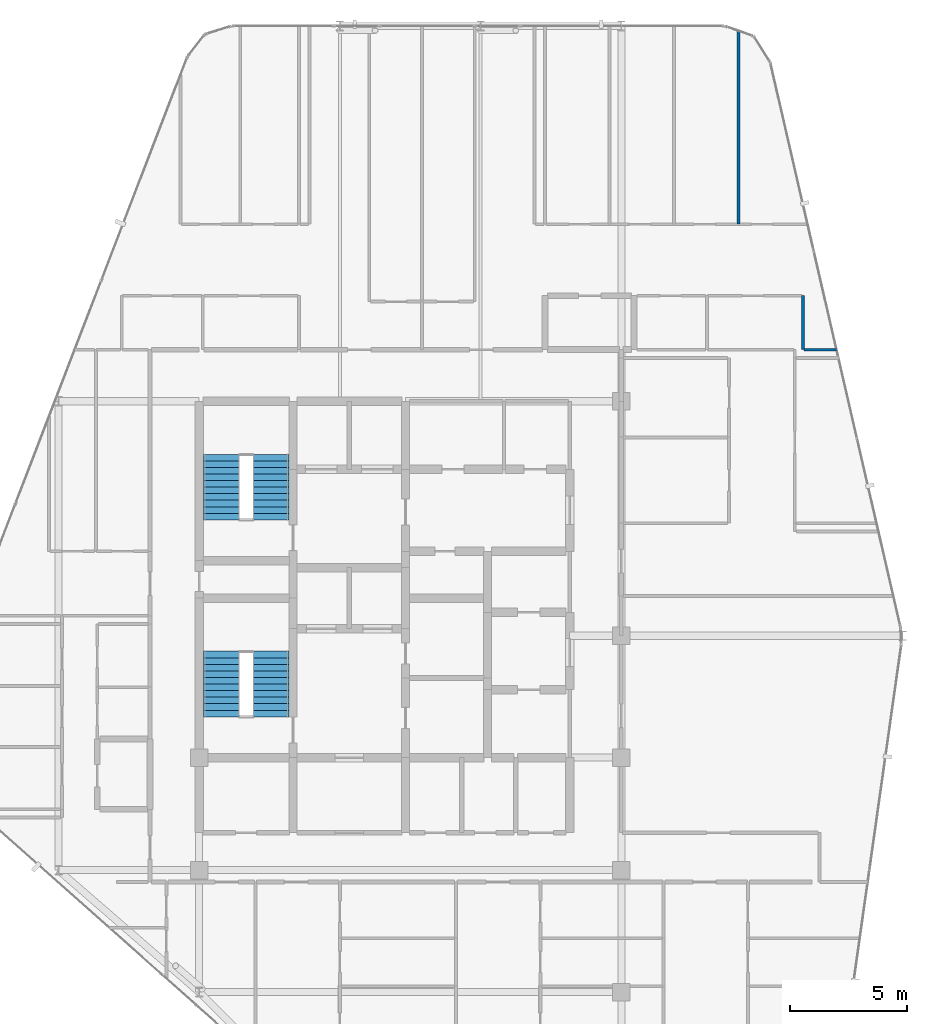
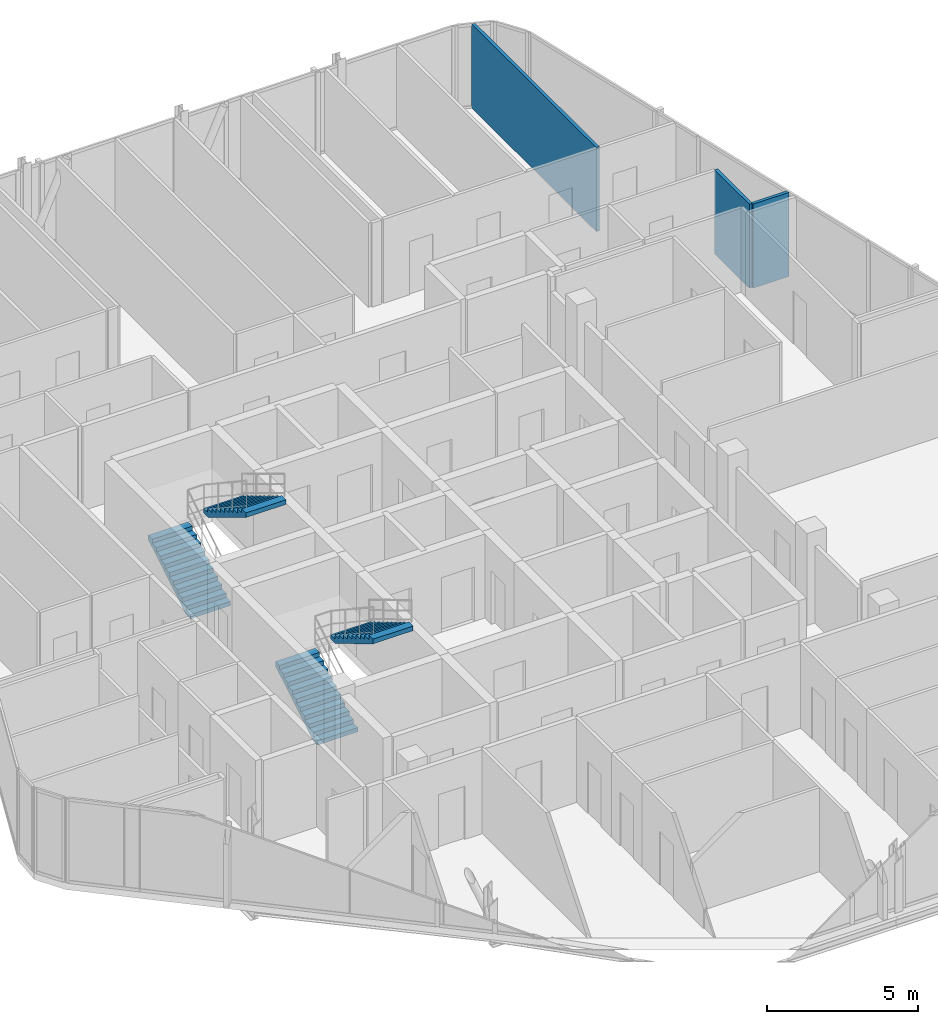
# One storey, part 27 of 28: 4 stair flights, 3 walls, 2 elements without a shape of their own.
"""IFC4 building model written with IfcOpenShell, lengths in metres."""

import ifcopenshell
import ifcopenshell.guid

model = None  # the IFC model being written
_history = None  # IfcOwnerHistory: only IFC2X3 demands one
_inside = {}  # id of a spatial element -> (the spatial element, [elements in it])
_under = {}  # id of a project, library or spatial element -> (it, [spatial elements below it])
_declared = {}  # id of a project -> (the project, [libraries it declares])
_typed = {}  # id of a type object -> (the type object, [elements of that type])
_made_of = {}  # id of a material, layer set ... -> (it, [elements and type objects made of it])


def new_model(schema):
    """Start an empty IFC model of exactly this schema.

    Asked for "IFC4X3", IfcOpenShell would pick the latest addendum, in which some entities
    have other attributes; the version numbers below select the first issue.
    IFC2X3 requires an IfcOwnerHistory on every rooted entity: one is made here for all.
    """
    global model, _history
    if schema == "IFC4X3":
        model = ifcopenshell.file(schema_version=(4, 3, 0, 0))
    else:
        model = ifcopenshell.file(schema=schema)
    _inside.clear()
    _under.clear()
    _declared.clear()
    _typed.clear()
    _made_of.clear()
    _history = None
    if model.schema == "IFC2X3":
        org = make("IfcOrganization", Name="unknown")
        user = make(
            "IfcPersonAndOrganization",
            ThePerson=make("IfcPerson", FamilyName="unknown"),
            TheOrganization=org,
        )
        app = make(
            "IfcApplication",
            ApplicationDeveloper=org,
            Version="unknown",
            ApplicationFullName="unknown",
            ApplicationIdentifier="unknown",
        )
        _history = make(
            "IfcOwnerHistory",
            OwningUser=user,
            OwningApplication=app,
            ChangeAction="ADDED",
            CreationDate=0,
        )
    return model


def make(cls, **values):
    """One entity of the class cls with the attributes given. An attribute that is None is left unset."""
    return model.create_entity(
        cls, **{name: value for name, value in values.items() if value is not None}
    )


def rooted(cls, **values):
    """An entity with a GlobalId (a new one), such as an element, a storey or a relation."""
    return make(cls, GlobalId=ifcopenshell.guid.new(), OwnerHistory=_history, **values)


def si_unit(unit_type, name, prefix=None):
    """IfcSIUnit, for example si_unit("LENGTHUNIT", "METRE", prefix="MILLI")."""
    return make("IfcSIUnit", UnitType=unit_type, Prefix=prefix, Name=name)


def assignment(units):
    """IfcUnitAssignment: the units of a project."""
    return None if units is None else make("IfcUnitAssignment", Units=units)


def point(xyz):
    """IfcCartesianPoint."""
    return None if xyz is None else make("IfcCartesianPoint", Coordinates=xyz)


def direction(xyz):
    """IfcDirection."""
    return None if xyz is None else make("IfcDirection", DirectionRatios=xyz)


def frame(location, z_axis=None, x_axis=None):
    """IfcAxis2Placement3D, a coordinate frame: its origin and axes. An axis left out is left unset."""
    return make(
        "IfcAxis2Placement3D",
        Location=point(location),
        Axis=direction(z_axis),
        RefDirection=direction(x_axis),
    )


def frame_2d(location, x_axis=None):
    """IfcAxis2Placement2D, a coordinate frame in the plane: its origin and x axis."""
    return make(
        "IfcAxis2Placement2D", Location=point(location), RefDirection=direction(x_axis)
    )


def origin():
    """The frame at (0, 0, 0) with its axes left unset."""
    return frame((0.0, 0.0, 0.0))


def place(relative_to, where):
    """IfcLocalPlacement: puts the frame where relative to a parent placement (None: the world)."""
    return make(
        "IfcLocalPlacement", PlacementRelTo=relative_to, RelativePlacement=where
    )


def context(
    kind, dimensions, precision=None, world=None, true_north=None, identifier=None
):
    """IfcGeometricRepresentationContext, for example the 3D "Model" context."""
    return make(
        "IfcGeometricRepresentationContext",
        ContextIdentifier=identifier,
        ContextType=kind,
        CoordinateSpaceDimension=dimensions,
        Precision=precision,
        WorldCoordinateSystem=world,
        TrueNorth=true_north,
    )


def subcontext(parent, identifier, kind, view, scale=None):
    """IfcGeometricRepresentationSubContext, for example "Body" below "Model"."""
    return make(
        "IfcGeometricRepresentationSubContext",
        ContextIdentifier=identifier,
        ContextType=kind,
        ParentContext=parent,
        TargetScale=scale,
        TargetView=view,
    )


def project(units=None, contexts=None):
    """IfcProject with its units and contexts."""
    return rooted(
        "IfcProject",
        Name="project",
        RepresentationContexts=contexts,
        UnitsInContext=assignment(units),
    )


def spatial(cls, under=None, at=None, **own):
    """A site, building, storey or space (cls), placed at a placement, below another one or the project."""
    s = rooted(cls, ObjectPlacement=at, **own)
    if under is not None:
        _under.setdefault(under.id(), (under, []))[1].append(s)
    return s


def polyline(points):
    """IfcPolyline through the points."""
    return make("IfcPolyline", Points=[point(p) for p in points])


def profile(cls, at=None, kind="AREA", **sizes):
    """A parametric profile (cls). Its sizes go by their IFC names, for example OverallWidth=200.0."""
    return make(cls, ProfileType=kind, Position=at, **sizes)


def rectangle(**sizes):
    """IfcRectangleProfileDef."""
    return profile("IfcRectangleProfileDef", **sizes)


def outline(outer, holes=None, kind="AREA"):
    """IfcArbitraryClosedProfileDef: a profile drawn as a closed curve; with holes, ...WithVoids."""
    if holes is None:
        return make("IfcArbitraryClosedProfileDef", ProfileType=kind, OuterCurve=outer)
    return make(
        "IfcArbitraryProfileDefWithVoids",
        ProfileType=kind,
        OuterCurve=outer,
        InnerCurves=holes,
    )


def extrude(swept, where, along, depth):
    """IfcExtrudedAreaSolid: the profile swept, set in the frame where, extruded along a direction by depth."""
    return make(
        "IfcExtrudedAreaSolid",
        SweptArea=swept,
        Position=where,
        ExtrudedDirection=direction(along),
        Depth=depth,
    )


def shape(context_of_items, identifier, shape_type, items):
    """IfcShapeRepresentation: the items that make up one representation, for example the "Body"."""
    return make(
        "IfcShapeRepresentation",
        ContextOfItems=context_of_items,
        RepresentationIdentifier=identifier,
        RepresentationType=shape_type,
        Items=items,
    )


def material(Name=None, Category=None):
    """IfcMaterial."""
    return make("IfcMaterial", Name=Name, Category=Category)


def layer(
    of_material, thickness, ventilated=None, Name=None, Category=None, Priority=None
):
    """IfcMaterialLayer: one layer of a wall or slab, of a material (None: an air gap)."""
    return make(
        "IfcMaterialLayer",
        Material=of_material,
        LayerThickness=thickness,
        IsVentilated=ventilated,
        Name=Name,
        Category=Category,
        Priority=Priority,
    )


def layer_set(layers, Name=None):
    """IfcMaterialLayerSet."""
    return make("IfcMaterialLayerSet", MaterialLayers=layers, LayerSetName=Name)


def made_of(thing, what):
    """Note that an element or type object is made of a material, layer set ...; save() writes the relation."""
    if what is not None:
        _made_of.setdefault(what.id(), (what, []))[1].append(thing)
    return thing


def type_object(cls, material=None, **own):
    """A type object (cls), such as IfcWallType, which elements share."""
    return made_of(rooted(cls, **own), material)


def element(
    cls,
    number,
    at=None,
    inside=None,
    cuts=None,
    type_object=None,
    material=None,
    context=None,
    identifier="Body",
    shape_type=None,
    held_by="IfcProductDefinitionShape",
    body=None,
    shapes=None,
    **own,
):
    """One element of the class cls, such as IfcWall. Its Tag is "e" and its number.

    at: its placement. inside: the storey or other place that contains it. cuts: it is an
    opening in that element (IfcRelVoidsElement). A single representation is given by context,
    identifier, shape_type and body (its items); several are given by shapes. held_by: the class
    of the entity that holds the representations. save() writes the other relations.
    """
    e = rooted(cls, Tag="e%d" % number, ObjectPlacement=at, **own)
    if body is not None:
        shapes = [shape(context, identifier, shape_type, body)]
    if shapes is not None:
        e.Representation = make(held_by, Representations=shapes)
    if inside is not None:
        _inside.setdefault(inside.id(), (inside, []))[1].append(e)
    if cuts is not None:
        rooted(
            "IfcRelVoidsElement", RelatingBuildingElement=cuts, RelatedOpeningElement=e
        )
    if type_object is not None:
        _typed.setdefault(type_object.id(), (type_object, []))[1].append(e)
    return made_of(e, material)


def aggregate(whole, parts):
    """IfcRelAggregates: a whole, such as a stair, and the parts it consists of."""
    return rooted("IfcRelAggregates", RelatingObject=whole, RelatedObjects=parts)


def save(model, path):
    """Write the relations noted so far, then the file.

    IfcRelAggregates (storeys below a building ...), IfcRelContainedInSpatialStructure (elements
    in a storey), IfcRelDefinesByType, IfcRelAssociatesMaterial and IfcRelDeclares: one each for
    every whole, place, type object, material and project.
    """
    for whole, parts in _under.values():
        aggregate(whole, parts)
    for where, things in _inside.values():
        rooted(
            "IfcRelContainedInSpatialStructure",
            RelatedElements=things,
            RelatingStructure=where,
        )
    for kind, things in _typed.values():
        rooted("IfcRelDefinesByType", RelatedObjects=things, RelatingType=kind)
    for what, things in _made_of.values():
        rooted("IfcRelAssociatesMaterial", RelatedObjects=things, RelatingMaterial=what)
    for by, libraries in _declared.values():
        rooted("IfcRelDeclares", RelatingContext=by, RelatedDefinitions=libraries)
    model.write(path)


model = new_model("IFC4")

# Units and contexts
model_context = context("Model", 3, precision=1e-05, world=origin(), true_north=direction((0.0, 1.0)))
body_context = subcontext(model_context, "Body", "Model", "MODEL_VIEW")
ifc_project = project(units=[si_unit("LENGTHUNIT", "METRE"), si_unit("AREAUNIT", "SQUARE_METRE"), si_unit("VOLUMEUNIT", "CUBIC_METRE"), si_unit("PLANEANGLEUNIT", "RADIAN"), si_unit("MASSUNIT", "GRAM", prefix="KILO")], contexts=[model_context])

# Site, building, storey
site_placement = place(None, origin())
site = spatial("IfcSite", under=ifc_project, at=site_placement, CompositionType="ELEMENT")
building_placement = place(site_placement, origin())
building = spatial("IfcBuilding", under=site, at=building_placement, Name="Keshet Zoharim Tower", CompositionType="ELEMENT")
storey_placement = place(building_placement, frame((0.0, 0.0, 251.0)))
storey = spatial("IfcBuildingStorey", under=building, at=storey_placement, Name="L62", CompositionType="ELEMENT", Elevation=251.0)

# Walls
ifc_material_1 = material(Name="Gypsum Plasterboard", Category="gypsum")
ifc_layer = layer(ifc_material_1, 0.1201171875)
ifc_layer_set = layer_set([ifc_layer], Name="Gypsum Plasterboard")
wall_type = type_object("IfcWallType", Name="WL-PART-120", PredefinedType="PARTITIONING", material=ifc_layer_set)
wall_1_placement = place(storey_placement, frame((38.0, 45.449951171875, 0.0), z_axis=(0.0, 0.0, 1.0), x_axis=(0.0, 1.0, 0.0)))
element("IfcWall", 1, at=wall_1_placement, inside=storey, type_object=wall_type, Name="L62 Interior Wall 087", PredefinedType="PARTITIONING", context=body_context, shape_type="SweptSolid", body=[
    extrude(rectangle(XDim=8.234130859375, YDim=0.1201171875, at=frame_2d((4.1171875, 0.0))), origin(), (0.0, 0.0, 1.0), 3.389892578125),
])
wall_2_placement = place(storey_placement, frame((40.75, 40.10009765625, 0.0), z_axis=(0.0, 0.0, 1.0), x_axis=(0.0, 1.0, 0.0)))
element("IfcWall", 2, at=wall_2_placement, inside=storey, type_object=wall_type, Name="L62 Interior Wall 094", PredefinedType="PARTITIONING", context=body_context, shape_type="SweptSolid", body=[
    extrude(rectangle(XDim=2.2998046875, YDim=0.1201171875, at=frame_2d((1.14990234375, 0.0))), origin(), (0.0, 0.0, 1.0), 3.389892578125),
])
wall_3_placement = place(storey_placement, frame((40.7958984375, 40.10009765625, 0.0), z_axis=(0.0, 0.0, 1.0), x_axis=(1.0, 0.0, 0.0)))
element("IfcWall", 3, at=wall_3_placement, inside=storey, type_object=wall_type, Name="L62 Interior Wall 172", PredefinedType="PARTITIONING", context=body_context, shape_type="SweptSolid", body=[
    extrude(rectangle(XDim=1.379150390625, YDim=0.1201171875, at=frame_2d((0.689453125, 0.0))), origin(), (0.0, 0.0, 1.0), 3.389892578125),
])

# Stair, stair flights
ifc_material_2 = material(Name="Concrete C50/60", Category="concrete")
stair_type = type_object("IfcStairType", Name="STR-EXIT-135", PredefinedType="HALF_TURN_STAIR", material=ifc_material_2)
stair_1_placement = place(storey_placement, origin())
stair_1 = element("IfcStair", 4, at=stair_1_placement, inside=storey, type_object=stair_type, Name="L62 Enclosed Exit Stair ST-01", PredefinedType="HALF_TURN_STAIR")
stair_flight_type = type_object("IfcStairFlightType", Name="FLT-PRE-135", PredefinedType="STRAIGHT", material=ifc_material_2)
stair_flight_1_placement = place(storey_placement, frame((15.945068359375, 24.43994140625, 0.0), z_axis=(0.0, 0.0, 1.0), x_axis=(0.0, 1.0, 0.0)))
stair_flight_1 = element("IfcStairFlight", 5, at=stair_flight_1_placement, type_object=stair_flight_type, Name="ST-01 flight 1", NumberOfRisers=11, NumberOfTreads=10, PredefinedType="STRAIGHT", RiserHeight=0.168182, TreadLength=0.28, context=body_context, shape_type="SweptSolid", body=[
    extrude(outline(polyline([(0.0, 0.0), (0.0, 0.168212890625), (0.280029296875, 0.168212890625), (0.280029296875, 0.33642578125), (0.56005859375, 0.33642578125), (0.56005859375, 0.504638671875), (0.840087890625, 0.504638671875), (0.840087890625, 0.672607421875), (1.1201171875, 0.672607421875), (1.1201171875, 0.8408203125), (1.39990234375, 0.8408203125), (1.39990234375, 1.009033203125), (1.679931640625, 1.009033203125), (1.679931640625, 1.17724609375), (1.9599609375, 1.17724609375), (1.9599609375, 1.345458984375), (2.239990234375, 1.345458984375), (2.239990234375, 1.513671875), (2.52001953125, 1.513671875), (2.52001953125, 1.681884765625), (2.800048828125, 1.681884765625), (2.800048828125, 1.85009765625), (2.800048828125, 1.495361328125), (0.310546875, 0.0), (0.0, 0.0)])), frame((0.0, 0.76513671875, 0.0), z_axis=(0.0, -1.0, 0.0), x_axis=(1.0, 0.0, 0.0)), (0.0, 0.0, 1.0), 1.530029296875),
])
stair_flight_2_placement = place(storey_placement, frame((18.054931640625, 27.239990234375, 1.85009765625), z_axis=(0.0, 0.0, 1.0), x_axis=(0.0, -1.0, 0.0)))
stair_flight_2 = element("IfcStairFlight", 6, at=stair_flight_2_placement, type_object=stair_flight_type, Name="ST-01 flight 2", NumberOfRisers=11, NumberOfTreads=10, PredefinedType="STRAIGHT", RiserHeight=0.168182, TreadLength=0.28, context=body_context, shape_type="SweptSolid", body=[
    extrude(outline(polyline([(0.0, 0.0), (0.0, 0.168212890625), (0.280029296875, 0.168212890625), (0.280029296875, 0.33642578125), (0.56005859375, 0.33642578125), (0.56005859375, 0.504638671875), (0.840087890625, 0.504638671875), (0.840087890625, 0.672607421875), (1.1201171875, 0.672607421875), (1.1201171875, 0.8408203125), (1.39990234375, 0.8408203125), (1.39990234375, 1.009033203125), (1.679931640625, 1.009033203125), (1.679931640625, 1.17724609375), (1.9599609375, 1.17724609375), (1.9599609375, 1.345458984375), (2.239990234375, 1.345458984375), (2.239990234375, 1.513671875), (2.52001953125, 1.513671875), (2.52001953125, 1.681884765625), (2.800048828125, 1.681884765625), (2.800048828125, 1.85009765625), (2.800048828125, 1.495361328125), (0.310546875, 0.0), (0.0, 0.0)])), frame((0.0, 0.76513671875, 0.0), z_axis=(0.0, -1.0, 0.0), x_axis=(1.0, 0.0, 0.0)), (0.0, 0.0, 1.0), 1.530029296875),
])
aggregate(stair_1, [stair_flight_1, stair_flight_2])

stair_2_placement = place(storey_placement, origin())
stair_2 = element("IfcStair", 7, at=stair_2_placement, inside=storey, type_object=stair_type, Name="L62 Enclosed Exit Stair ST-02", PredefinedType="HALF_TURN_STAIR")
stair_flight_3_placement = place(storey_placement, frame((15.945068359375, 32.840087890625, 0.0), z_axis=(0.0, 0.0, 1.0), x_axis=(0.0, 1.0, 0.0)))
stair_flight_3 = element("IfcStairFlight", 8, at=stair_flight_3_placement, type_object=stair_flight_type, Name="ST-02 flight 1", NumberOfRisers=11, NumberOfTreads=10, PredefinedType="STRAIGHT", RiserHeight=0.168182, TreadLength=0.28, context=body_context, shape_type="SweptSolid", body=[
    extrude(outline(polyline([(0.0, 0.0), (0.0, 0.168212890625), (0.280029296875, 0.168212890625), (0.280029296875, 0.33642578125), (0.56005859375, 0.33642578125), (0.56005859375, 0.504638671875), (0.840087890625, 0.504638671875), (0.840087890625, 0.672607421875), (1.1201171875, 0.672607421875), (1.1201171875, 0.8408203125), (1.39990234375, 0.8408203125), (1.39990234375, 1.009033203125), (1.679931640625, 1.009033203125), (1.679931640625, 1.17724609375), (1.9599609375, 1.17724609375), (1.9599609375, 1.345458984375), (2.239990234375, 1.345458984375), (2.239990234375, 1.513671875), (2.52001953125, 1.513671875), (2.52001953125, 1.681884765625), (2.800048828125, 1.681884765625), (2.800048828125, 1.85009765625), (2.800048828125, 1.495361328125), (0.310546875, 0.0), (0.0, 0.0)])), frame((0.0, 0.76513671875, 0.0), z_axis=(0.0, -1.0, 0.0), x_axis=(1.0, 0.0, 0.0)), (0.0, 0.0, 1.0), 1.530029296875),
])
stair_flight_4_placement = place(storey_placement, frame((18.054931640625, 35.639892578125, 1.85009765625), z_axis=(0.0, 0.0, 1.0), x_axis=(0.0, -1.0, 0.0)))
stair_flight_4 = element("IfcStairFlight", 9, at=stair_flight_4_placement, type_object=stair_flight_type, Name="ST-02 flight 2", NumberOfRisers=11, NumberOfTreads=10, PredefinedType="STRAIGHT", RiserHeight=0.168182, TreadLength=0.28, context=body_context, shape_type="SweptSolid", body=[
    extrude(outline(polyline([(0.0, 0.0), (0.0, 0.168212890625), (0.280029296875, 0.168212890625), (0.280029296875, 0.33642578125), (0.56005859375, 0.33642578125), (0.56005859375, 0.504638671875), (0.840087890625, 0.504638671875), (0.840087890625, 0.672607421875), (1.1201171875, 0.672607421875), (1.1201171875, 0.8408203125), (1.39990234375, 0.8408203125), (1.39990234375, 1.009033203125), (1.679931640625, 1.009033203125), (1.679931640625, 1.17724609375), (1.9599609375, 1.17724609375), (1.9599609375, 1.345458984375), (2.239990234375, 1.345458984375), (2.239990234375, 1.513671875), (2.52001953125, 1.513671875), (2.52001953125, 1.681884765625), (2.800048828125, 1.681884765625), (2.800048828125, 1.85009765625), (2.800048828125, 1.495361328125), (0.310546875, 0.0), (0.0, 0.0)])), frame((0.0, 0.76513671875, 0.0), z_axis=(0.0, -1.0, 0.0), x_axis=(1.0, 0.0, 0.0)), (0.0, 0.0, 1.0), 1.530029296875),
])
aggregate(stair_2, [stair_flight_3, stair_flight_4])

save(model, "model.ifc")
